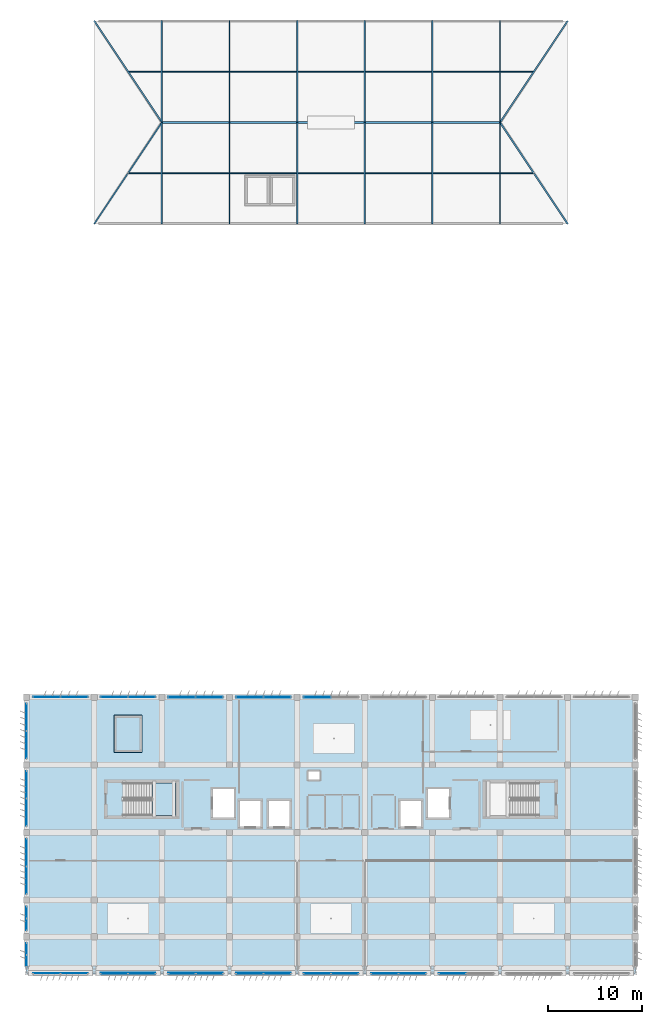
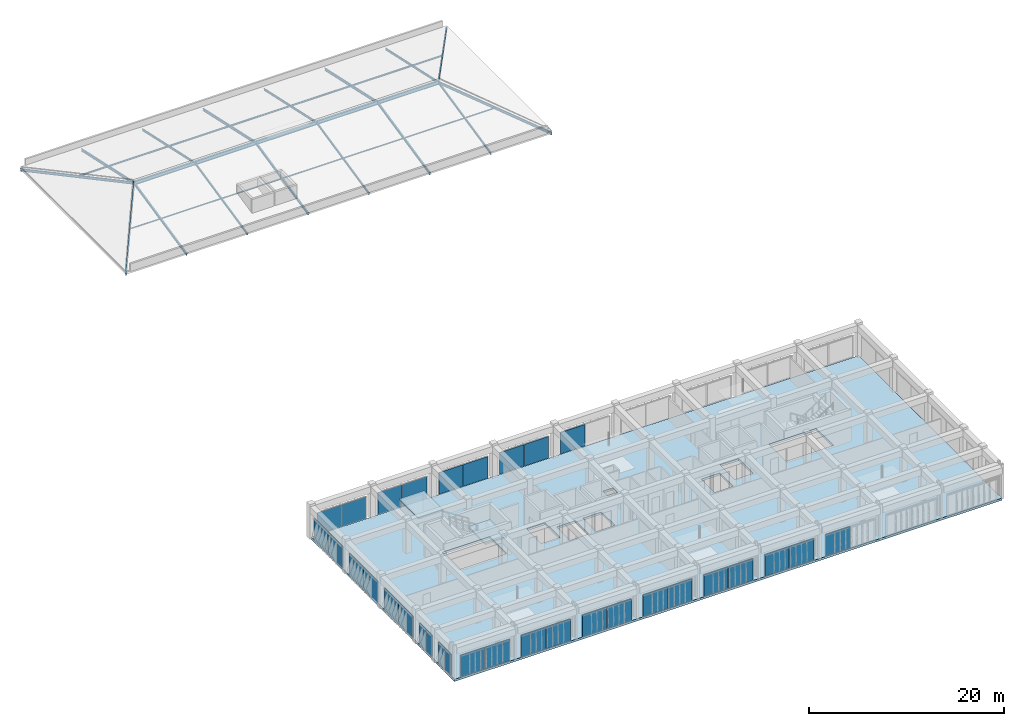
# One storey, part 31 of 53: 32 plates, 18 members, 3 slabs, 1 beam, 18 elements without a shape of their own.
"""IFC4 building model written with IfcOpenShell, lengths in metres."""

from ifc_helpers import new_model, si_unit, direction, frame, origin, origin_2d, place, context, subcontext, project, spatial, polyline, rectangle, hollow_circle, i_section, outline, extrude, material, layer, layer_set, material_profile, profile_set, type_object, element, aggregate, save


model = new_model("IFC4")

# Units and contexts
model_context = context("Model", 3, precision=1e-05, world=origin(), true_north=direction((0.0, 1.0)))
body_context = subcontext(model_context, "Body", "Model", "MODEL_VIEW")
ifc_project = project(units=[si_unit("LENGTHUNIT", "METRE"), si_unit("AREAUNIT", "SQUARE_METRE"), si_unit("VOLUMEUNIT", "CUBIC_METRE"), si_unit("PLANEANGLEUNIT", "RADIAN"), si_unit("MASSUNIT", "GRAM", prefix="KILO")], contexts=[model_context])

# Site, building, storey
site_placement = place(None, origin())
site = spatial("IfcSite", under=ifc_project, at=site_placement, CompositionType="ELEMENT")
building_placement = place(site_placement, origin())
building = spatial("IfcBuilding", under=site, at=building_placement, Name="Kazehaya Institute of Natural Sciences", CompositionType="ELEMENT")
storey_placement = place(building_placement, frame((0.0, 0.0, 33.300048828125)))
storey = spatial("IfcBuildingStorey", under=building, at=storey_placement, Name="L07", CompositionType="ELEMENT", Elevation=33.300048828125)

# Beam
ifc_material_1 = material(Name="Structural steel SN490B", Category="steel")
ifc_material_profile_1 = material_profile(ifc_material_1, i_section(OverallWidth=0.199951171875, OverallDepth=0.449951171875, WebThickness=0.009033203125, FlangeThickness=0.013916015625, FilletRadius=0.01611328125, at=origin_2d()), Name="H-450x200x9x14")
ifc_profile_set_1 = profile_set([ifc_material_profile_1], Name="Structural steel SN490B")
beam_type = type_object("IfcBeamType", Name="BM-STL-H450", PredefinedType="BEAM", material=ifc_profile_set_1)
beam_placement = place(storey_placement, frame((69.0, 96.800048828125, 2.1142578125), z_axis=(1.0, 0.0, 0.0), x_axis=(0.0, 1.0, 0.0)))
element("IfcBeam", 1, at=beam_placement, inside=storey, type_object=beam_type, Name="ROOF-VOL5 steel ridge girder", PredefinedType="BEAM", context=body_context, shape_type="SweptSolid", body=[
    extrude(i_section(OverallWidth=0.199951171875, OverallDepth=0.449951171875, WebThickness=0.009033203125, FlangeThickness=0.013916015625, FilletRadius=0.01611328125, at=origin_2d()), origin(), (0.0, 0.0, 1.0), 36.0),
])

# Members
ifc_material_profile_2 = material_profile(ifc_material_1, hollow_circle(Radius=0.08251953125, WallThickness=0.006103515625, at=origin_2d()), Name="CHS-165.2x6.0")
ifc_profile_set_2 = profile_set([ifc_material_profile_2], Name="Structural steel SN490B")
member_type_1 = type_object("IfcMemberType", Name="MEM-PUR-CHS165", PredefinedType="PURLIN", material=ifc_profile_set_2)
member_1_placement = place(storey_placement, frame((65.39990234375, 91.39990234375, 0.927001953125), z_axis=(1.0, 0.0, 0.0), x_axis=(0.0, 1.0, 0.0)))
element("IfcMember", 2, at=member_1_placement, inside=storey, type_object=member_type_1, Name="ROOF-VOL5 roof purlin 7", PredefinedType="PURLIN", context=body_context, shape_type="SweptSolid", body=[
    extrude(hollow_circle(Radius=0.08251953125, WallThickness=0.006103515625, at=origin_2d()), origin(), (0.0, 0.0, 1.0), 43.2001953125),
])
ifc_material_profile_3 = material_profile(ifc_material_1, i_section(OverallWidth=0.10009765625, OverallDepth=0.199951171875, WebThickness=0.005615234375, FlangeThickness=0.008056640625, FilletRadius=0.008056640625, at=origin_2d()), Name="H-200x100x5.5x8")
ifc_profile_set_3 = profile_set([ifc_material_profile_3], Name="Structural steel SN490B")
member_type_2 = type_object("IfcMemberType", Name="MEM-PUR-H200", PredefinedType="PURLIN", material=ifc_profile_set_3)
member_2_placement = place(storey_placement, frame((65.39990234375, 102.199951171875, 0.927001953125), z_axis=(1.0, 0.0, 0.0), x_axis=(0.0, 1.0, 0.0)))
element("IfcMember", 3, at=member_2_placement, inside=storey, type_object=member_type_2, Name="ROOF-VOL5 roof purlin 8", PredefinedType="PURLIN", context=body_context, shape_type="SweptSolid", body=[
    extrude(i_section(OverallWidth=0.10009765625, OverallDepth=0.199951171875, WebThickness=0.005615234375, FlangeThickness=0.008056640625, FilletRadius=0.008056640625, at=origin_2d()), origin(), (0.0, 0.0, 1.0), 43.2001953125),
])
ifc_material_profile_4 = material_profile(ifc_material_1, i_section(OverallWidth=0.125, OverallDepth=0.25, WebThickness=0.006103515625, FlangeThickness=0.009033203125, FilletRadius=0.010009765625, at=origin_2d()), Name="H-250x125x6x9")
ifc_profile_set_4 = profile_set([ifc_material_profile_4], Name="Structural steel SN490B")
member_type_3 = type_object("IfcMemberType", Name="MEM-RAF-H250", PredefinedType="RAFTER", material=ifc_profile_set_4)
for number, where, z_axis, x_axis, name in (
    (4, (76.199951171875, 86.0, -0.25), (0.0, 0.976867015659, 0.213847688126), (-1.0, 0.0, 0.0), "ROOF-VOL5 roof truss rafter 43"),
    (5, (76.199951171875, 107.60009765625, -0.25), (0.0, -0.976867015659, 0.213847688126), (1.0, 0.0, 0.0), "ROOF-VOL5 roof truss rafter 44"),
    (6, (90.60009765625, 86.0, -0.25), (0.0, 0.976867015659, 0.213847688126), (-1.0, 0.0, 0.0), "ROOF-VOL5 roof truss rafter 47"),
    (7, (90.60009765625, 107.60009765625, -0.25), (0.0, -0.976867015659, 0.213847688126), (1.0, 0.0, 0.0), "ROOF-VOL5 roof truss rafter 48"),
    (8, (105.0, 86.0, -0.25), (0.0, 0.976867015659, 0.213847688126), (-1.0, 0.0, 0.0), "ROOF-VOL5 roof truss rafter 51"),
    (9, (105.0, 107.60009765625, -0.25), (0.0, -0.976867015659, 0.213847688126), (1.0, 0.0, 0.0), "ROOF-VOL5 roof truss rafter 52"),
):
    element("IfcMember", number, at=place(storey_placement, frame(where, z_axis=z_axis, x_axis=x_axis)), inside=storey, type_object=member_type_3, Name=name, PredefinedType="RAFTER", context=body_context, shape_type="SweptSolid", body=[
        extrude(i_section(OverallWidth=0.125, OverallDepth=0.25, WebThickness=0.006103515625, FlangeThickness=0.009033203125, FilletRadius=0.010009765625, at=origin_2d()), origin(), (0.0, 0.0, 1.0), 11.055908203125),
    ])
ifc_material_profile_5 = material_profile(ifc_material_1, i_section(OverallWidth=0.14990234375, OverallDepth=0.300048828125, WebThickness=0.006591796875, FlangeThickness=0.009033203125, FilletRadius=0.012939453125, at=origin_2d()), Name="H-300x150x6.5x9")
ifc_profile_set_5 = profile_set([ifc_material_profile_5], Name="Structural steel SN490B")
member_type_4 = type_object("IfcMemberType", Name="MEM-RAF-H300", PredefinedType="RAFTER", material=ifc_profile_set_5)
for number, where, z_axis, x_axis, name in (
    (10, (61.800048828125, 86.0, -0.25), (0.545717025725, 0.818584790852, 0.179197846025), (-0.832053188017, 0.554695855682, 0.0), "ROOF-VOL5 corner hip rafter SW"),
    (11, (61.800048828125, 107.60009765625, -0.25), (0.545717025725, -0.818584790852, 0.179197846025), (0.832053188017, 0.554695855682, 0.0), "ROOF-VOL5 corner hip rafter NW"),
    (12, (112.199951171875, 86.0, -0.25), (-0.545717025725, 0.818584790852, 0.179197846025), (-0.832053188017, -0.554695855682, 0.0), "ROOF-VOL5 corner hip rafter SE"),
    (13, (112.199951171875, 107.60009765625, -0.25), (-0.545717025725, -0.818584790852, 0.179197846025), (0.832053188017, -0.554695855682, 0.0), "ROOF-VOL5 corner hip rafter NE"),
):
    element("IfcMember", number, at=place(storey_placement, frame(where, z_axis=z_axis, x_axis=x_axis)), inside=storey, type_object=member_type_4, Name=name, PredefinedType="RAFTER", context=body_context, shape_type="SweptSolid", body=[
        extrude(i_section(OverallWidth=0.14990234375, OverallDepth=0.300048828125, WebThickness=0.006591796875, FlangeThickness=0.009033203125, FilletRadius=0.012939453125, at=origin_2d()), origin(), (0.0, 0.0, 1.0), 13.193603515625),
    ])
for number, where, z_axis, x_axis, name in (
    (14, (69.0, 86.0, -0.25), (0.0, 0.976867015659, 0.213847688126), (-1.0, 0.0, 0.0), "ROOF-VOL5 roof truss rafter 41"),
    (15, (69.0, 107.60009765625, -0.25), (0.0, -0.976867015659, 0.213847688126), (1.0, 0.0, 0.0), "ROOF-VOL5 roof truss rafter 42"),
    (16, (83.39990234375, 86.0, -0.25), (0.0, 0.976867015659, 0.213847688126), (-1.0, 0.0, 0.0), "ROOF-VOL5 roof truss rafter 45"),
    (17, (83.39990234375, 107.60009765625, -0.25), (0.0, -0.976867015659, 0.213847688126), (1.0, 0.0, 0.0), "ROOF-VOL5 roof truss rafter 46"),
    (18, (97.800048828125, 86.0, -0.25), (0.0, 0.976867015659, 0.213847688126), (-1.0, 0.0, 0.0), "ROOF-VOL5 roof truss rafter 49"),
    (19, (97.800048828125, 107.60009765625, -0.25), (0.0, -0.976867015659, 0.213847688126), (1.0, 0.0, 0.0), "ROOF-VOL5 roof truss rafter 50"),
):
    element("IfcMember", number, at=place(storey_placement, frame(where, z_axis=z_axis, x_axis=x_axis)), inside=storey, type_object=member_type_4, Name=name, PredefinedType="RAFTER", context=body_context, shape_type="SweptSolid", body=[
        extrude(i_section(OverallWidth=0.14990234375, OverallDepth=0.300048828125, WebThickness=0.006591796875, FlangeThickness=0.009033203125, FilletRadius=0.012939453125, at=origin_2d()), origin(), (0.0, 0.0, 1.0), 11.055908203125),
    ])

# Curtain wall, plates
ifc_material_2 = material(Name="Aluminium alloy A6063S-T5", Category="aluminium")
curtain_wall_type_1 = type_object("IfcCurtainWallType", Name="CW-SYS-05", PredefinedType="NOTDEFINED", material=ifc_material_2)
curtain_wall_1_placement = place(storey_placement, origin())
curtain_wall_1 = element("IfcCurtainWall", 20, at=curtain_wall_1_placement, inside=storey, type_object=curtain_wall_type_1, Name="L07 unitised curtain wall CW-L07-156", PredefinedType="NOTDEFINED")
ifc_material_3 = material(Name="Low-E double-glazed vision glass", Category="glass")
ifc_layer_1 = layer(ifc_material_3, 0.030029296875, Name="Low-E double-glazed vision glass", Category="glass")
ifc_layer_set_1 = layer_set([ifc_layer_1], Name="Low-E double-glazed vision glass")
plate_type_1 = type_object("IfcPlateType", Name="CWP-01", PredefinedType="CURTAIN_PANEL", material=ifc_layer_set_1)
plate_1_placement = place(storey_placement, frame((59.6650390625, 6.199951171875, 0.06005859375), z_axis=(0.0, 0.0, 1.0), x_axis=(-1.0, 0.0, 0.0)))
plate_1 = element("IfcPlate", 21, at=plate_1_placement, type_object=plate_type_1, Name="CW05 panel 1.1", PredefinedType="CURTAIN_PANEL", context=body_context, shape_type="SweptSolid", body=[
    extrude(rectangle(XDim=2.8701171875, YDim=0.030029296875, at=origin_2d()), origin(), (0.0, 0.0, 1.0), 2.699951171875),
])
plate_2_placement = place(storey_placement, frame((56.735107421875, 6.199951171875, 0.06005859375), z_axis=(0.0, 0.0, 1.0), x_axis=(-1.0, 0.0, 0.0)))
plate_2 = element("IfcPlate", 22, at=plate_2_placement, type_object=plate_type_1, Name="CW05 panel 2.1", PredefinedType="CURTAIN_PANEL", context=body_context, shape_type="SweptSolid", body=[
    extrude(rectangle(XDim=2.8701171875, YDim=0.030029296875, at=origin_2d()), origin(), (0.0, 0.0, 1.0), 2.699951171875),
])
aggregate(curtain_wall_1, [plate_1, plate_2])

# Curtain wall, plate
curtain_wall_2_placement = place(storey_placement, origin())
curtain_wall_2 = element("IfcCurtainWall", 23, at=curtain_wall_2_placement, inside=storey, type_object=curtain_wall_type_1, Name="L07 unitised curtain wall CW-L07-150", PredefinedType="NOTDEFINED")
ifc_layer_2 = layer(ifc_material_3, 0.050048828125, Name="Low-E double-glazed vision glass", Category="glass")
ifc_layer_set_2 = layer_set([ifc_layer_2], Name="Low-E double-glazed vision glass")
plate_type_2 = type_object("IfcPlateType", Name="CWP-03", PredefinedType="CURTAIN_PANEL", material=ifc_layer_set_2)
plate_3_placement = place(storey_placement, frame((99.93505859375, 6.199951171875, 0.06005859375), z_axis=(0.0, 0.0, 1.0), x_axis=(-1.0, 0.0, 0.0)))
plate_3 = element("IfcPlate", 24, at=plate_3_placement, type_object=plate_type_2, Name="CW05 panel 2.1", PredefinedType="CURTAIN_PANEL", context=body_context, shape_type="SweptSolid", body=[
    extrude(rectangle(XDim=2.8701171875, YDim=0.050048828125, at=origin_2d()), origin(), (0.0, 0.0, 1.0), 2.699951171875),
])
aggregate(curtain_wall_2, [plate_3])

# Curtain wall, plates
curtain_wall_3_placement = place(storey_placement, origin())
curtain_wall_3 = element("IfcCurtainWall", 25, at=curtain_wall_3_placement, inside=storey, type_object=curtain_wall_type_1, Name="L07 unitised curtain wall CW-L07-157", PredefinedType="NOTDEFINED")
plate_4_placement = place(storey_placement, frame((56.735107421875, 35.60009765625, 0.06005859375), z_axis=(0.0, 0.0, 1.0), x_axis=(1.0, 0.0, 0.0)))
plate_4 = element("IfcPlate", 26, at=plate_4_placement, type_object=plate_type_2, Name="CW05 panel 1.1", PredefinedType="CURTAIN_PANEL", context=body_context, shape_type="SweptSolid", body=[
    extrude(rectangle(XDim=2.8701171875, YDim=0.050048828125, at=origin_2d()), origin(), (0.0, 0.0, 1.0), 2.699951171875),
])
plate_5_placement = place(storey_placement, frame((59.6650390625, 35.60009765625, 0.06005859375), z_axis=(0.0, 0.0, 1.0), x_axis=(1.0, 0.0, 0.0)))
plate_5 = element("IfcPlate", 27, at=plate_5_placement, type_object=plate_type_2, Name="CW05 panel 2.1", PredefinedType="CURTAIN_PANEL", context=body_context, shape_type="SweptSolid", body=[
    extrude(rectangle(XDim=2.8701171875, YDim=0.050048828125, at=origin_2d()), origin(), (0.0, 0.0, 1.0), 2.699951171875),
])
aggregate(curtain_wall_3, [plate_4, plate_5])

curtain_wall_4_placement = place(storey_placement, origin())
curtain_wall_4 = element("IfcCurtainWall", 28, at=curtain_wall_4_placement, inside=storey, type_object=curtain_wall_type_1, Name="L07 unitised curtain wall CW-L07-151", PredefinedType="NOTDEFINED")
ifc_layer_3 = layer(ifc_material_3, 0.06005859375, Name="Low-E double-glazed vision glass", Category="glass")
ifc_layer_set_3 = layer_set([ifc_layer_3], Name="Low-E double-glazed vision glass")
plate_type_3 = type_object("IfcPlateType", Name="CWP-04", PredefinedType="CURTAIN_PANEL", material=ifc_layer_set_3)
plate_6_placement = place(storey_placement, frame((95.6650390625, 6.199951171875, 0.06005859375), z_axis=(0.0, 0.0, 1.0), x_axis=(-1.0, 0.0, 0.0)))
plate_6 = element("IfcPlate", 29, at=plate_6_placement, type_object=plate_type_3, Name="CW05 panel 1.1", PredefinedType="CURTAIN_PANEL", context=body_context, shape_type="SweptSolid", body=[
    extrude(rectangle(XDim=2.8701171875, YDim=0.06005859375, at=origin_2d()), origin(), (0.0, 0.0, 1.0), 2.699951171875),
])
plate_7_placement = place(storey_placement, frame((92.735107421875, 6.199951171875, 0.06005859375), z_axis=(0.0, 0.0, 1.0), x_axis=(-1.0, 0.0, 0.0)))
plate_7 = element("IfcPlate", 30, at=plate_7_placement, type_object=plate_type_3, Name="CW05 panel 2.1", PredefinedType="CURTAIN_PANEL", context=body_context, shape_type="SweptSolid", body=[
    extrude(rectangle(XDim=2.8701171875, YDim=0.06005859375, at=origin_2d()), origin(), (0.0, 0.0, 1.0), 2.699951171875),
])
aggregate(curtain_wall_4, [plate_6, plate_7])

curtain_wall_5_placement = place(storey_placement, origin())
curtain_wall_5 = element("IfcCurtainWall", 31, at=curtain_wall_5_placement, inside=storey, type_object=curtain_wall_type_1, Name="L07 unitised curtain wall CW-L07-158", PredefinedType="NOTDEFINED")
plate_8_placement = place(storey_placement, frame((63.93505859375, 35.60009765625, 0.06005859375), z_axis=(0.0, 0.0, 1.0), x_axis=(1.0, 0.0, 0.0)))
plate_8 = element("IfcPlate", 32, at=plate_8_placement, type_object=plate_type_3, Name="CW05 panel 1.1", PredefinedType="CURTAIN_PANEL", context=body_context, shape_type="SweptSolid", body=[
    extrude(rectangle(XDim=2.8701171875, YDim=0.06005859375, at=origin_2d()), origin(), (0.0, 0.0, 1.0), 2.699951171875),
])
plate_9_placement = place(storey_placement, frame((66.864990234375, 35.60009765625, 0.06005859375), z_axis=(0.0, 0.0, 1.0), x_axis=(1.0, 0.0, 0.0)))
plate_9 = element("IfcPlate", 33, at=plate_9_placement, type_object=plate_type_3, Name="CW05 panel 2.1", PredefinedType="CURTAIN_PANEL", context=body_context, shape_type="SweptSolid", body=[
    extrude(rectangle(XDim=2.8701171875, YDim=0.06005859375, at=origin_2d()), origin(), (0.0, 0.0, 1.0), 2.699951171875),
])
aggregate(curtain_wall_5, [plate_8, plate_9])

curtain_wall_6_placement = place(storey_placement, origin())
curtain_wall_6 = element("IfcCurtainWall", 34, at=curtain_wall_6_placement, inside=storey, type_object=curtain_wall_type_1, Name="L07 unitised curtain wall CW-L07-152", PredefinedType="NOTDEFINED")
ifc_material_4 = material(Name="Insulated bronze aluminium spandrel panel", Category="aluminium")
ifc_layer_4 = layer(ifc_material_4, 0.070068359375, Name="Insulated bronze aluminium spandrel panel", Category="aluminium")
ifc_layer_set_4 = layer_set([ifc_layer_4], Name="Insulated bronze aluminium spandrel panel")
plate_type_4 = type_object("IfcPlateType", Name="CWP-05", PredefinedType="CURTAIN_PANEL", material=ifc_layer_set_4)
plate_10_placement = place(storey_placement, frame((88.465087890625, 6.199951171875, 0.06005859375), z_axis=(0.0, 0.0, 1.0), x_axis=(-1.0, 0.0, 0.0)))
plate_10 = element("IfcPlate", 35, at=plate_10_placement, type_object=plate_type_4, Name="CW05 panel 1.1", PredefinedType="CURTAIN_PANEL", context=body_context, shape_type="SweptSolid", body=[
    extrude(rectangle(XDim=2.8701171875, YDim=0.070068359375, at=origin_2d()), origin(), (0.0, 0.0, 1.0), 2.699951171875),
])
plate_11_placement = place(storey_placement, frame((85.534912109375, 6.199951171875, 0.06005859375), z_axis=(0.0, 0.0, 1.0), x_axis=(-1.0, 0.0, 0.0)))
plate_11 = element("IfcPlate", 36, at=plate_11_placement, type_object=plate_type_4, Name="CW05 panel 2.1", PredefinedType="CURTAIN_PANEL", context=body_context, shape_type="SweptSolid", body=[
    extrude(rectangle(XDim=2.8701171875, YDim=0.070068359375, at=origin_2d()), origin(), (0.0, 0.0, 1.0), 2.699951171875),
])
aggregate(curtain_wall_6, [plate_10, plate_11])

curtain_wall_7_placement = place(storey_placement, origin())
curtain_wall_7 = element("IfcCurtainWall", 37, at=curtain_wall_7_placement, inside=storey, type_object=curtain_wall_type_1, Name="L07 unitised curtain wall CW-L07-159", PredefinedType="NOTDEFINED")
plate_12_placement = place(storey_placement, frame((71.135009765625, 35.60009765625, 0.06005859375), z_axis=(0.0, 0.0, 1.0), x_axis=(1.0, 0.0, 0.0)))
plate_12 = element("IfcPlate", 38, at=plate_12_placement, type_object=plate_type_4, Name="CW05 panel 1.1", PredefinedType="CURTAIN_PANEL", context=body_context, shape_type="SweptSolid", body=[
    extrude(rectangle(XDim=2.8701171875, YDim=0.070068359375, at=origin_2d()), origin(), (0.0, 0.0, 1.0), 2.699951171875),
])
plate_13_placement = place(storey_placement, frame((74.06494140625, 35.60009765625, 0.06005859375), z_axis=(0.0, 0.0, 1.0), x_axis=(1.0, 0.0, 0.0)))
plate_13 = element("IfcPlate", 39, at=plate_13_placement, type_object=plate_type_4, Name="CW05 panel 2.1", PredefinedType="CURTAIN_PANEL", context=body_context, shape_type="SweptSolid", body=[
    extrude(rectangle(XDim=2.8701171875, YDim=0.070068359375, at=origin_2d()), origin(), (0.0, 0.0, 1.0), 2.699951171875),
])
aggregate(curtain_wall_7, [plate_12, plate_13])

curtain_wall_type_2 = type_object("IfcCurtainWallType", Name="CW-SYS-09", PredefinedType="NOTDEFINED", material=ifc_material_2)
curtain_wall_8_placement = place(storey_placement, origin())
curtain_wall_8 = element("IfcCurtainWall", 40, at=curtain_wall_8_placement, inside=storey, type_object=curtain_wall_type_2, Name="L07 unitised curtain wall CW-L07-166", PredefinedType="NOTDEFINED")
plate_14_placement = place(storey_placement, frame((54.60009765625, 7.510009765625, 0.06005859375), z_axis=(0.0, 0.0, 1.0), x_axis=(0.0, 1.0, 0.0)))
plate_14 = element("IfcPlate", 41, at=plate_14_placement, type_object=plate_type_4, Name="CW09 panel 1.1", PredefinedType="CURTAIN_PANEL", context=body_context, shape_type="SweptSolid", body=[
    extrude(rectangle(XDim=1.219970703125, YDim=0.070068359375, at=origin_2d()), origin(), (0.0, 0.0, 1.0), 2.699951171875),
])
plate_15_placement = place(storey_placement, frame((54.60009765625, 8.7900390625, 0.06005859375), z_axis=(0.0, 0.0, 1.0), x_axis=(0.0, 1.0, 0.0)))
plate_15 = element("IfcPlate", 42, at=plate_15_placement, type_object=plate_type_4, Name="CW09 panel 2.1", PredefinedType="CURTAIN_PANEL", context=body_context, shape_type="SweptSolid", body=[
    extrude(rectangle(XDim=1.219970703125, YDim=0.070068359375, at=origin_2d()), origin(), (0.0, 0.0, 1.0), 2.699951171875),
])
aggregate(curtain_wall_8, [plate_14, plate_15])

curtain_wall_9_placement = place(storey_placement, origin())
curtain_wall_9 = element("IfcCurtainWall", 43, at=curtain_wall_9_placement, inside=storey, type_object=curtain_wall_type_2, Name="L07 unitised curtain wall CW-L07-168", PredefinedType="NOTDEFINED")
plate_16_placement = place(storey_placement, frame((54.60009765625, 11.409912109375, 0.06005859375), z_axis=(0.0, 0.0, 1.0), x_axis=(0.0, 1.0, 0.0)))
plate_16 = element("IfcPlate", 44, at=plate_16_placement, type_object=plate_type_4, Name="CW09 panel 1.1", PredefinedType="CURTAIN_PANEL", context=body_context, shape_type="SweptSolid", body=[
    extrude(rectangle(XDim=1.219970703125, YDim=0.070068359375, at=origin_2d()), origin(), (0.0, 0.0, 1.0), 2.699951171875),
])
plate_17_placement = place(storey_placement, frame((54.60009765625, 12.68994140625, 0.06005859375), z_axis=(0.0, 0.0, 1.0), x_axis=(0.0, 1.0, 0.0)))
plate_17 = element("IfcPlate", 45, at=plate_17_placement, type_object=plate_type_4, Name="CW09 panel 2.1", PredefinedType="CURTAIN_PANEL", context=body_context, shape_type="SweptSolid", body=[
    extrude(rectangle(XDim=1.219970703125, YDim=0.070068359375, at=origin_2d()), origin(), (0.0, 0.0, 1.0), 2.699951171875),
])
aggregate(curtain_wall_9, [plate_16, plate_17])

curtain_wall_type_3 = type_object("IfcCurtainWallType", Name="CW-SYS-10", PredefinedType="NOTDEFINED", material=ifc_material_2)
curtain_wall_10_placement = place(storey_placement, origin())
curtain_wall_10 = element("IfcCurtainWall", 46, at=curtain_wall_10_placement, inside=storey, type_object=curtain_wall_type_3, Name="L07 unitised curtain wall CW-L07-170", PredefinedType="NOTDEFINED")
plate_18_placement = place(storey_placement, frame((54.60009765625, 16.135009765625, 0.06005859375), z_axis=(0.0, 0.0, 1.0), x_axis=(0.0, 1.0, 0.0)))
plate_18 = element("IfcPlate", 47, at=plate_18_placement, type_object=plate_type_4, Name="CW10 panel 1.1", PredefinedType="CURTAIN_PANEL", context=body_context, shape_type="SweptSolid", body=[
    extrude(rectangle(XDim=2.8701171875, YDim=0.070068359375, at=origin_2d()), origin(), (0.0, 0.0, 1.0), 2.699951171875),
])
plate_19_placement = place(storey_placement, frame((54.60009765625, 19.06494140625, 0.06005859375), z_axis=(0.0, 0.0, 1.0), x_axis=(0.0, 1.0, 0.0)))
plate_19 = element("IfcPlate", 48, at=plate_19_placement, type_object=plate_type_4, Name="CW10 panel 2.1", PredefinedType="CURTAIN_PANEL", context=body_context, shape_type="SweptSolid", body=[
    extrude(rectangle(XDim=2.8701171875, YDim=0.070068359375, at=origin_2d()), origin(), (0.0, 0.0, 1.0), 2.699951171875),
])
aggregate(curtain_wall_10, [plate_18, plate_19])

curtain_wall_11_placement = place(storey_placement, origin())
curtain_wall_11 = element("IfcCurtainWall", 49, at=curtain_wall_11_placement, inside=storey, type_object=curtain_wall_type_3, Name="L07 unitised curtain wall CW-L07-172", PredefinedType="NOTDEFINED")
plate_20_placement = place(storey_placement, frame((54.60009765625, 23.3349609375, 0.06005859375), z_axis=(0.0, 0.0, 1.0), x_axis=(0.0, 1.0, 0.0)))
plate_20 = element("IfcPlate", 50, at=plate_20_placement, type_object=plate_type_4, Name="CW10 panel 1.1", PredefinedType="CURTAIN_PANEL", context=body_context, shape_type="SweptSolid", body=[
    extrude(rectangle(XDim=2.8701171875, YDim=0.070068359375, at=origin_2d()), origin(), (0.0, 0.0, 1.0), 2.699951171875),
])
plate_21_placement = place(storey_placement, frame((54.60009765625, 26.264892578125, 0.06005859375), z_axis=(0.0, 0.0, 1.0), x_axis=(0.0, 1.0, 0.0)))
plate_21 = element("IfcPlate", 51, at=plate_21_placement, type_object=plate_type_4, Name="CW10 panel 2.1", PredefinedType="CURTAIN_PANEL", context=body_context, shape_type="SweptSolid", body=[
    extrude(rectangle(XDim=2.8701171875, YDim=0.070068359375, at=origin_2d()), origin(), (0.0, 0.0, 1.0), 2.699951171875),
])
aggregate(curtain_wall_11, [plate_20, plate_21])

curtain_wall_12_placement = place(storey_placement, origin())
curtain_wall_12 = element("IfcCurtainWall", 52, at=curtain_wall_12_placement, inside=storey, type_object=curtain_wall_type_3, Name="L07 unitised curtain wall CW-L07-174", PredefinedType="NOTDEFINED")
plate_22_placement = place(storey_placement, frame((54.60009765625, 30.534912109375, 0.06005859375), z_axis=(0.0, 0.0, 1.0), x_axis=(0.0, 1.0, 0.0)))
plate_22 = element("IfcPlate", 53, at=plate_22_placement, type_object=plate_type_4, Name="CW10 panel 1.1", PredefinedType="CURTAIN_PANEL", context=body_context, shape_type="SweptSolid", body=[
    extrude(rectangle(XDim=2.8701171875, YDim=0.070068359375, at=origin_2d()), origin(), (0.0, 0.0, 1.0), 2.699951171875),
])
plate_23_placement = place(storey_placement, frame((54.60009765625, 33.465087890625, 0.06005859375), z_axis=(0.0, 0.0, 1.0), x_axis=(0.0, 1.0, 0.0)))
plate_23 = element("IfcPlate", 54, at=plate_23_placement, type_object=plate_type_4, Name="CW10 panel 2.1", PredefinedType="CURTAIN_PANEL", context=body_context, shape_type="SweptSolid", body=[
    extrude(rectangle(XDim=2.8701171875, YDim=0.070068359375, at=origin_2d()), origin(), (0.0, 0.0, 1.0), 2.699951171875),
])
aggregate(curtain_wall_12, [plate_22, plate_23])

curtain_wall_13_placement = place(storey_placement, origin())
curtain_wall_13 = element("IfcCurtainWall", 55, at=curtain_wall_13_placement, inside=storey, type_object=curtain_wall_type_1, Name="L07 unitised curtain wall CW-L07-153", PredefinedType="NOTDEFINED")
ifc_layer_5 = layer(ifc_material_4, 0.080078125, Name="Insulated bronze aluminium spandrel panel", Category="aluminium")
ifc_layer_set_5 = layer_set([ifc_layer_5], Name="Insulated bronze aluminium spandrel panel")
plate_type_5 = type_object("IfcPlateType", Name="CWP-06", PredefinedType="CURTAIN_PANEL", material=ifc_layer_set_5)
plate_24_placement = place(storey_placement, frame((81.264892578125, 6.199951171875, 0.06005859375), z_axis=(0.0, 0.0, 1.0), x_axis=(-1.0, 0.0, 0.0)))
plate_24 = element("IfcPlate", 56, at=plate_24_placement, type_object=plate_type_5, Name="CW05 panel 1.1", PredefinedType="CURTAIN_PANEL", context=body_context, shape_type="SweptSolid", body=[
    extrude(rectangle(XDim=2.8701171875, YDim=0.080078125, at=origin_2d()), origin(), (0.0, 0.0, 1.0), 2.699951171875),
])
plate_25_placement = place(storey_placement, frame((78.3349609375, 6.199951171875, 0.06005859375), z_axis=(0.0, 0.0, 1.0), x_axis=(-1.0, 0.0, 0.0)))
plate_25 = element("IfcPlate", 57, at=plate_25_placement, type_object=plate_type_5, Name="CW05 panel 2.1", PredefinedType="CURTAIN_PANEL", context=body_context, shape_type="SweptSolid", body=[
    extrude(rectangle(XDim=2.8701171875, YDim=0.080078125, at=origin_2d()), origin(), (0.0, 0.0, 1.0), 2.699951171875),
])
aggregate(curtain_wall_13, [plate_24, plate_25])

curtain_wall_14_placement = place(storey_placement, origin())
curtain_wall_14 = element("IfcCurtainWall", 58, at=curtain_wall_14_placement, inside=storey, type_object=curtain_wall_type_1, Name="L07 unitised curtain wall CW-L07-160", PredefinedType="NOTDEFINED")
plate_26_placement = place(storey_placement, frame((78.3349609375, 35.60009765625, 0.06005859375), z_axis=(0.0, 0.0, 1.0), x_axis=(1.0, 0.0, 0.0)))
plate_26 = element("IfcPlate", 59, at=plate_26_placement, type_object=plate_type_5, Name="CW05 panel 1.1", PredefinedType="CURTAIN_PANEL", context=body_context, shape_type="SweptSolid", body=[
    extrude(rectangle(XDim=2.8701171875, YDim=0.080078125, at=origin_2d()), origin(), (0.0, 0.0, 1.0), 2.699951171875),
])
plate_27_placement = place(storey_placement, frame((81.264892578125, 35.60009765625, 0.06005859375), z_axis=(0.0, 0.0, 1.0), x_axis=(1.0, 0.0, 0.0)))
plate_27 = element("IfcPlate", 60, at=plate_27_placement, type_object=plate_type_5, Name="CW05 panel 2.1", PredefinedType="CURTAIN_PANEL", context=body_context, shape_type="SweptSolid", body=[
    extrude(rectangle(XDim=2.8701171875, YDim=0.080078125, at=origin_2d()), origin(), (0.0, 0.0, 1.0), 2.699951171875),
])
aggregate(curtain_wall_14, [plate_26, plate_27])

curtain_wall_15_placement = place(storey_placement, origin())
curtain_wall_15 = element("IfcCurtainWall", 61, at=curtain_wall_15_placement, inside=storey, type_object=curtain_wall_type_1, Name="L07 unitised curtain wall CW-L07-154", PredefinedType="NOTDEFINED")
ifc_layer_6 = layer(ifc_material_4, 0.090087890625, Name="Insulated bronze aluminium spandrel panel", Category="aluminium")
ifc_layer_set_6 = layer_set([ifc_layer_6], Name="Insulated bronze aluminium spandrel panel")
plate_type_6 = type_object("IfcPlateType", Name="CWP-07", PredefinedType="CURTAIN_PANEL", material=ifc_layer_set_6)
plate_28_placement = place(storey_placement, frame((74.06494140625, 6.199951171875, 0.06005859375), z_axis=(0.0, 0.0, 1.0), x_axis=(-1.0, 0.0, 0.0)))
plate_28 = element("IfcPlate", 62, at=plate_28_placement, type_object=plate_type_6, Name="CW05 panel 1.1", PredefinedType="CURTAIN_PANEL", context=body_context, shape_type="SweptSolid", body=[
    extrude(rectangle(XDim=2.8701171875, YDim=0.090087890625, at=origin_2d()), origin(), (0.0, 0.0, 1.0), 2.699951171875),
])
plate_29_placement = place(storey_placement, frame((71.135009765625, 6.199951171875, 0.06005859375), z_axis=(0.0, 0.0, 1.0), x_axis=(-1.0, 0.0, 0.0)))
plate_29 = element("IfcPlate", 63, at=plate_29_placement, type_object=plate_type_6, Name="CW05 panel 2.1", PredefinedType="CURTAIN_PANEL", context=body_context, shape_type="SweptSolid", body=[
    extrude(rectangle(XDim=2.8701171875, YDim=0.090087890625, at=origin_2d()), origin(), (0.0, 0.0, 1.0), 2.699951171875),
])
aggregate(curtain_wall_15, [plate_28, plate_29])

# Curtain wall, plate
curtain_wall_16_placement = place(storey_placement, origin())
curtain_wall_16 = element("IfcCurtainWall", 64, at=curtain_wall_16_placement, inside=storey, type_object=curtain_wall_type_1, Name="L07 unitised curtain wall CW-L07-161", PredefinedType="NOTDEFINED")
plate_30_placement = place(storey_placement, frame((85.534912109375, 35.60009765625, 0.06005859375), z_axis=(0.0, 0.0, 1.0), x_axis=(1.0, 0.0, 0.0)))
plate_30 = element("IfcPlate", 65, at=plate_30_placement, type_object=plate_type_6, Name="CW05 panel 1.1", PredefinedType="CURTAIN_PANEL", context=body_context, shape_type="SweptSolid", body=[
    extrude(rectangle(XDim=2.8701171875, YDim=0.090087890625, at=origin_2d()), origin(), (0.0, 0.0, 1.0), 2.699951171875),
])
aggregate(curtain_wall_16, [plate_30])

# Curtain wall, plates
curtain_wall_17_placement = place(storey_placement, origin())
curtain_wall_17 = element("IfcCurtainWall", 66, at=curtain_wall_17_placement, inside=storey, type_object=curtain_wall_type_1, Name="L07 unitised curtain wall CW-L07-155", PredefinedType="NOTDEFINED")
ifc_layer_7 = layer(ifc_material_4, 0.10009765625, Name="Insulated bronze aluminium spandrel panel", Category="aluminium")
ifc_layer_set_7 = layer_set([ifc_layer_7], Name="Insulated bronze aluminium spandrel panel")
plate_type_7 = type_object("IfcPlateType", Name="CWP-08", PredefinedType="CURTAIN_PANEL", material=ifc_layer_set_7)
plate_31_placement = place(storey_placement, frame((66.864990234375, 6.199951171875, 0.06005859375), z_axis=(0.0, 0.0, 1.0), x_axis=(-1.0, 0.0, 0.0)))
plate_31 = element("IfcPlate", 67, at=plate_31_placement, type_object=plate_type_7, Name="CW05 panel 1.1", PredefinedType="CURTAIN_PANEL", context=body_context, shape_type="SweptSolid", body=[
    extrude(rectangle(XDim=2.8701171875, YDim=0.10009765625, at=origin_2d()), origin(), (0.0, 0.0, 1.0), 2.699951171875),
])
plate_32_placement = place(storey_placement, frame((63.93505859375, 6.199951171875, 0.06005859375), z_axis=(0.0, 0.0, 1.0), x_axis=(-1.0, 0.0, 0.0)))
plate_32 = element("IfcPlate", 68, at=plate_32_placement, type_object=plate_type_7, Name="CW05 panel 2.1", PredefinedType="CURTAIN_PANEL", context=body_context, shape_type="SweptSolid", body=[
    extrude(rectangle(XDim=2.8701171875, YDim=0.10009765625, at=origin_2d()), origin(), (0.0, 0.0, 1.0), 2.699951171875),
])
aggregate(curtain_wall_17, [plate_31, plate_32])

# Slab
ifc_material_5 = material(Name="Concrete Fc36", Category="concrete")
ifc_layer_8 = layer(ifc_material_5, 0.27001953125, Name="Concrete Fc36", Category="concrete")
ifc_layer_set_8 = layer_set([ifc_layer_8], Name="Concrete Fc36")
slab_type_1 = type_object("IfcSlabType", Name="SL-FLR-270", PredefinedType="FLOOR", material=ifc_layer_set_8)
slab_1_placement = place(storey_placement, frame((0.0, 0.0, -0.27001953125)))
element("IfcSlab", 69, at=slab_1_placement, inside=storey, type_object=slab_type_1, Name="L07 structural slab L07-VOL4", PredefinedType="FLOOR", context=body_context, shape_type="SweptSolid", body=[
    extrude(outline(polyline([(54.60009765625, 6.199951171875), (119.39990234375, 6.199951171875), (119.39990234375, 35.60009765625), (54.60009765625, 35.60009765625), (54.60009765625, 6.199951171875)]), holes=[polyline([(84.60009765625, 26.800048828125), (85.800048828125, 26.800048828125), (85.800048828125, 27.699951171875), (84.60009765625, 27.699951171875), (84.60009765625, 26.800048828125)]), polyline([(64.860107421875, 23.0), (70.5, 23.0), (70.5, 26.47998046875), (64.860107421875, 26.47998046875), (64.860107421875, 23.0)]), polyline([(103.5, 23.0), (109.139892578125, 23.0), (109.139892578125, 26.47998046875), (103.5, 26.47998046875), (103.5, 23.0)]), polyline([(74.449951171875, 22.800048828125), (76.64990234375, 22.800048828125), (76.64990234375, 25.800048828125), (74.449951171875, 25.800048828125), (74.449951171875, 22.800048828125)]), polyline([(97.35009765625, 22.800048828125), (99.550048828125, 22.800048828125), (99.550048828125, 25.800048828125), (97.35009765625, 25.800048828125), (97.35009765625, 22.800048828125)]), polyline([(77.300048828125, 21.85009765625), (79.5, 21.85009765625), (79.5, 24.550048828125), (77.300048828125, 24.550048828125), (77.300048828125, 21.85009765625)]), polyline([(80.39990234375, 21.85009765625), (82.60009765625, 21.85009765625), (82.60009765625, 24.550048828125), (80.39990234375, 24.550048828125), (80.39990234375, 21.85009765625)]), polyline([(94.39990234375, 21.85009765625), (96.60009765625, 21.85009765625), (96.60009765625, 24.550048828125), (94.39990234375, 24.550048828125), (94.39990234375, 21.85009765625)])]), origin(), (0.0, 0.0, 1.0), 0.27001953125),
])

# Stair, slab
stair_type = type_object("IfcStairType", Name="STR-DOG-4320", PredefinedType="HALF_TURN_STAIR", material=ifc_material_5)
stair_placement = place(storey_placement, origin())
stair = element("IfcStair", 70, at=stair_placement, inside=storey, type_object=stair_type, Name="L07 Protected Escape Stair ST-1", PredefinedType="HALF_TURN_STAIR")
ifc_layer_9 = layer(ifc_material_5, 0.159912109375, Name="Concrete Fc36", Category="concrete")
ifc_layer_set_9 = layer_set([ifc_layer_9], Name="Concrete Fc36")
slab_type_2 = type_object("IfcSlabType", Name="SL-LND-160", PredefinedType="LANDING", material=ifc_layer_set_9)
slab_2_placement = place(storey_placement, frame((0.0, 0.0, 1.9599609375)))
slab_2 = element("IfcSlab", 71, at=slab_2_placement, type_object=slab_type_2, Name="ST-1 landing 1", PredefinedType="LANDING", context=body_context, shape_type="SweptSolid", body=[
    extrude(outline(polyline([(67.93994140625, 23.0), (70.5, 23.0), (70.5, 26.47998046875), (67.93994140625, 26.47998046875), (67.93994140625, 23.0)])), origin(), (0.0, 0.0, 1.0), 0.199951171875),
])
aggregate(stair, [slab_2])

# Slab
ifc_layer_10 = layer(ifc_material_5, 0.179931640625, Name="Concrete Fc36", Category="concrete")
ifc_layer_set_10 = layer_set([ifc_layer_10], Name="Concrete Fc36")
slab_type_3 = type_object("IfcSlabType", Name="SL-ROF-180", PredefinedType="ROOF", material=ifc_layer_set_10)
slab_3_placement = place(storey_placement, frame((0.0, 0.0, 2.5)))
element("IfcSlab", 72, at=slab_3_placement, inside=storey, type_object=slab_type_3, Name="L07 EL06 lift overrun roof cap", PredefinedType="ROOF", context=body_context, shape_type="SweptSolid", body=[
    extrude(outline(polyline([(63.9150390625, 29.715087890625), (66.885009765625, 29.715087890625), (66.885009765625, 33.68505859375), (63.9150390625, 33.68505859375), (63.9150390625, 29.715087890625)])), origin(), (0.0, 0.0, 1.0), 0.179931640625),
])

save(model, "model.ifc")
